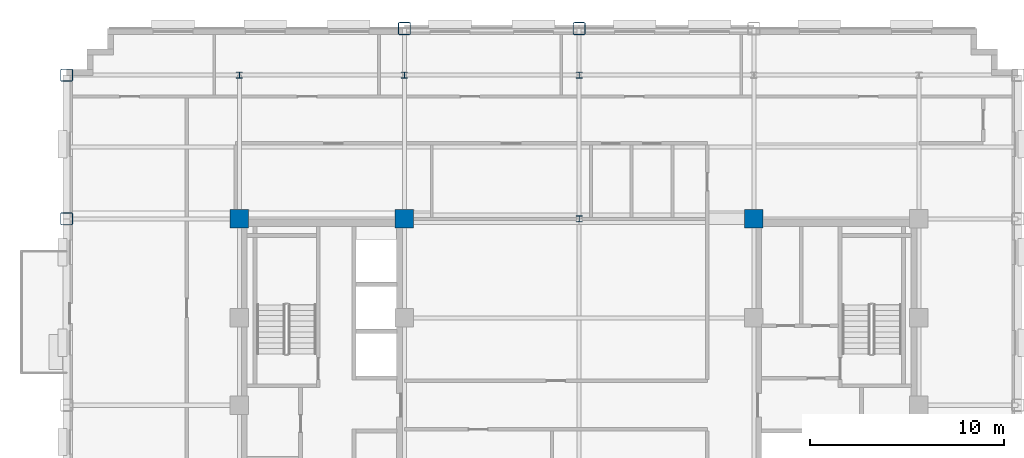
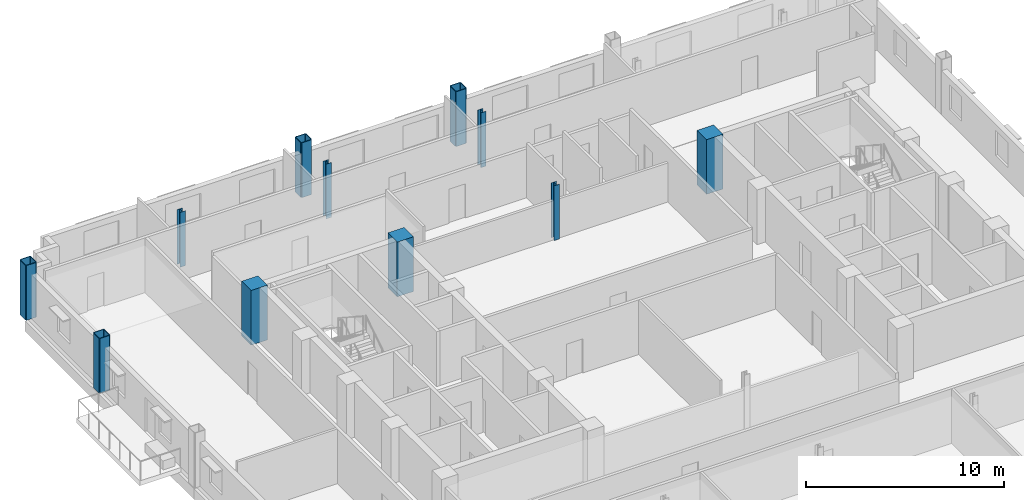
# One storey, part 3 of 14: 11 columns.
"""IFC4 building model written with IfcOpenShell, lengths in metres."""

from ifc_helpers import new_model, si_unit, direction, frame, origin, origin_2d, place, context, subcontext, project, spatial, rectangle, hollow_rectangle, i_section, extrude, material, material_profile, profile_set, type_object, element, save


model = new_model("IFC4")

# Units and contexts
model_context = context("Model", 3, precision=1e-05, world=origin(), true_north=direction((0.0, 1.0)))
body_context = subcontext(model_context, "Body", "Model", "MODEL_VIEW")
ifc_project = project(units=[si_unit("LENGTHUNIT", "METRE"), si_unit("AREAUNIT", "SQUARE_METRE"), si_unit("VOLUMEUNIT", "CUBIC_METRE"), si_unit("PLANEANGLEUNIT", "RADIAN"), si_unit("MASSUNIT", "GRAM", prefix="KILO")], contexts=[model_context])

# Site, building, storey
site_placement = place(None, origin())
site = spatial("IfcSite", under=ifc_project, at=site_placement, CompositionType="ELEMENT")
building_placement = place(site_placement, origin())
building = spatial("IfcBuilding", under=site, at=building_placement, Name="Nuvemarco Arch Tower", CompositionType="ELEMENT")
storey_placement = place(building_placement, frame((0.0, 0.0, 174.949951171875)))
storey = spatial("IfcBuildingStorey", under=building, at=storey_placement, Name="L46", CompositionType="ELEMENT", Elevation=174.949951171875)

# Columns
ifc_material_1 = material(Name="Concrete C50/60", Category="concrete")
ifc_material_profile_1 = material_profile(ifc_material_1, rectangle(XDim=0.949951171875, YDim=0.949951171875, at=origin_2d()), Name="RC-COL-950x950")
ifc_profile_set_1 = profile_set([ifc_material_profile_1], Name="Concrete C50/60")
column_type_1 = type_object("IfcColumnType", Name="COL-CORE-950", PredefinedType="COLUMN", material=ifc_profile_set_1)
for number, where, z_axis, x_axis, name in (
    (1, (-17.5, 9.60009765625, 0.0), (0.0, 0.0, 1.0), (1.0, 0.0, 0.0), "L46 column CC_-17.5_+9.6"),
    (2, (-9.0, 9.60009765625, 0.0), (0.0, 0.0, 1.0), (1.0, 0.0, 0.0), "L46 column CC_-9.0_+9.6"),
    (3, (9.0, 9.60009765625, 0.0), (0.0, 0.0, 1.0), (1.0, 0.0, 0.0), "L46 column CC_+9.0_+9.6"),
):
    element("IfcColumn", number, at=place(storey_placement, frame(where, z_axis=z_axis, x_axis=x_axis)), inside=storey, type_object=column_type_1, Name=name, PredefinedType="COLUMN", context=body_context, shape_type="SweptSolid", body=[
        extrude(rectangle(XDim=0.949951171875, YDim=0.949951171875, at=origin_2d()), origin(), (0.0, 0.0, 1.0), 3.3701171875),
    ])
ifc_material_2 = material(Name="Steel S355", Category="steel")
ifc_material_profile_2 = material_profile(ifc_material_2, hollow_rectangle(XDim=0.64990234375, YDim=0.64990234375, WallThickness=0.0400390625, InnerFilletRadius=0.0400390625, OuterFilletRadius=0.080078125, at=origin_2d()), Name="SHS650x650x40")
ifc_profile_set_2 = profile_set([ifc_material_profile_2], Name="Steel S355")
column_type_2 = type_object("IfcColumnType", Name="COL-EXO-650", PredefinedType="COLUMN", material=ifc_profile_set_2)
for number, where, z_axis, x_axis, name in (
    (4, (-26.39990234375, 9.60009765625, 0.0), (0.0, 0.0, 1.0), (1.0, 0.0, 0.0), "L46 column CX_-26.4_+9.6"),
    (5, (-26.39990234375, 17.0, 0.0), (0.0, 0.0, 1.0), (1.0, 0.0, 0.0), "L46 column CX_-26.4_+17.0"),
    (6, (-9.0, 19.39990234375, 0.0), (0.0, 0.0, 1.0), (1.0, 0.0, 0.0), "L46 column CY_-9.0_+19.4"),
    (7, (0.0, 19.39990234375, 0.0), (0.0, 0.0, 1.0), (1.0, 0.0, 0.0), "L46 column CY_+0.0_+19.4"),
):
    element("IfcColumn", number, at=place(storey_placement, frame(where, z_axis=z_axis, x_axis=x_axis)), inside=storey, type_object=column_type_2, Name=name, PredefinedType="COLUMN", context=body_context, shape_type="SweptSolid", body=[
        extrude(hollow_rectangle(XDim=0.64990234375, YDim=0.64990234375, WallThickness=0.0400390625, InnerFilletRadius=0.0400390625, OuterFilletRadius=0.080078125, at=origin_2d()), origin(), (0.0, 0.0, 1.0), 3.3701171875),
    ])
ifc_material_profile_3 = material_profile(ifc_material_2, i_section(OverallWidth=0.31005859375, OverallDepth=0.31005859375, WebThickness=0.015380859375, FlangeThickness=0.015380859375, FilletRadius=0.014892578125, at=origin_2d()), Name="HP310x110")
ifc_profile_set_3 = profile_set([ifc_material_profile_3], Name="Steel S355")
column_type_3 = type_object("IfcColumnType", Name="COL-STL-HP310", PredefinedType="COLUMN", material=ifc_profile_set_3)
for number, where, z_axis, x_axis, name in (
    (8, (0.0, 9.60009765625, 0.0), (0.0, 0.0, 1.0), (1.0, 0.0, 0.0), "L46 column CI_+0.0_+9.6"),
    (9, (0.0, 17.0, 0.0), (0.0, 0.0, 1.0), (1.0, 0.0, 0.0), "L46 column CI_+0.0_+17.0"),
    (10, (-17.5, 17.0, 0.0), (0.0, 0.0, 1.0), (1.0, 0.0, 0.0), "L46 column CI_-17.5_+17.0"),
    (11, (-9.0, 17.0, 0.0), (0.0, 0.0, 1.0), (1.0, 0.0, 0.0), "L46 column CI_-9.0_+17.0"),
):
    element("IfcColumn", number, at=place(storey_placement, frame(where, z_axis=z_axis, x_axis=x_axis)), inside=storey, type_object=column_type_3, Name=name, PredefinedType="COLUMN", context=body_context, shape_type="SweptSolid", body=[
        extrude(i_section(OverallWidth=0.31005859375, OverallDepth=0.31005859375, WebThickness=0.015380859375, FlangeThickness=0.015380859375, FilletRadius=0.014892578125, at=origin_2d()), origin(), (0.0, 0.0, 1.0), 3.3701171875),
    ])

save(model, "model.ifc")
